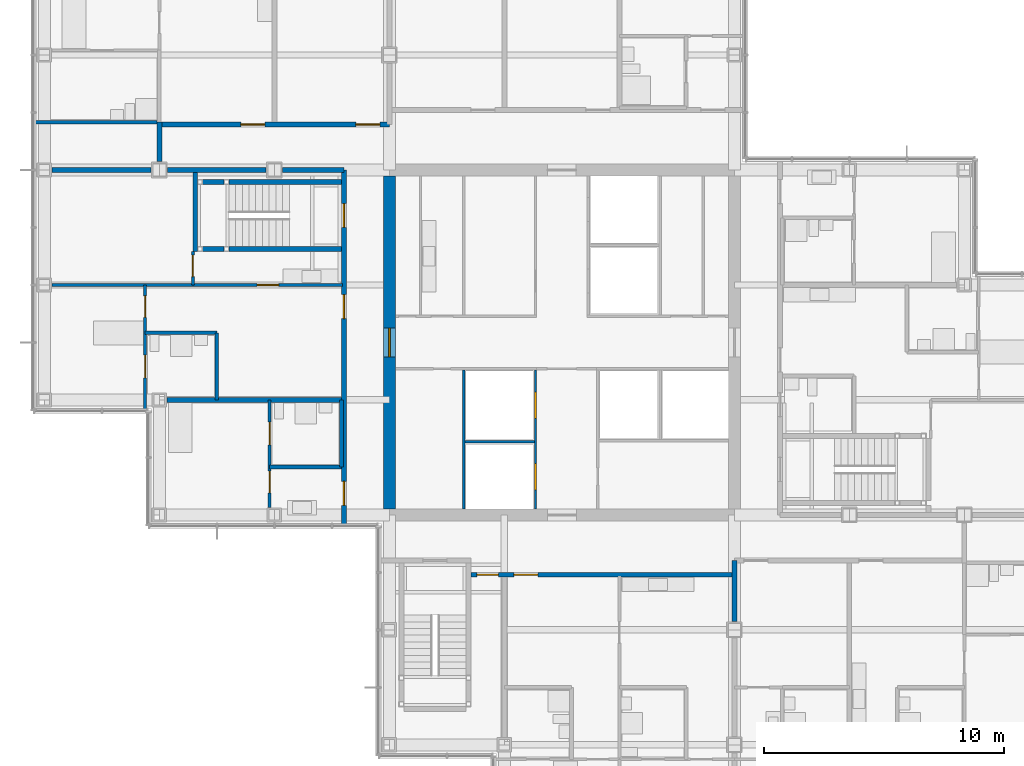
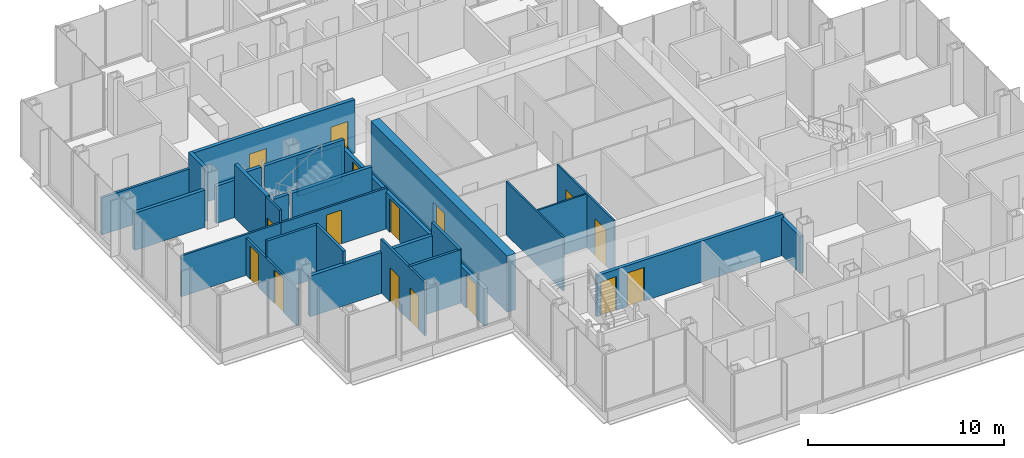
# One storey, part 14 of 20: 28 walls, 16 doors, 16 openings.
"""IFC4 building model written with IfcOpenShell, lengths in metres."""

from ifc_helpers import new_model, si_unit, direction, frame, frame_2d, origin, place, context, subcontext, project, spatial, rectangle, extrude, material, layer, layer_set, type_object, element, fill, save


model = new_model("IFC4")

# Units and contexts
model_context = context("Model", 3, precision=1e-05, world=origin(), true_north=direction((0.0, 1.0)))
body_context = subcontext(model_context, "Body", "Model", "MODEL_VIEW")
ifc_project = project(units=[si_unit("LENGTHUNIT", "METRE"), si_unit("AREAUNIT", "SQUARE_METRE"), si_unit("VOLUMEUNIT", "CUBIC_METRE"), si_unit("PLANEANGLEUNIT", "RADIAN"), si_unit("MASSUNIT", "GRAM", prefix="KILO")], contexts=[model_context])

# Site, building, storey
site_placement = place(None, origin())
site = spatial("IfcSite", under=ifc_project, at=site_placement, CompositionType="ELEMENT")
building_placement = place(site_placement, origin())
building = spatial("IfcBuilding", under=site, at=building_placement, Name="Kvirike Care Tower", CompositionType="ELEMENT")
storey_placement = place(building_placement, frame((0.0, 0.0, 122.5)))
storey = spatial("IfcBuildingStorey", under=building, at=storey_placement, Name="L33", CompositionType="ELEMENT", Elevation=122.5)

# Walls
ifc_material_1 = material(Name="Moisture-resistant board partition", Category="gypsum")
ifc_layer_1 = layer(ifc_material_1, 0.14990234375)
ifc_layer_set_1 = layer_set([ifc_layer_1], Name="BATHROOM WALL 150")
wall_type_1 = type_object("IfcWallType", Name="BATHROOM WALL 150", PredefinedType="PARTITIONING", material=ifc_layer_set_1)
wall_1_placement = place(storey_placement, frame((4.199951171875, 36.39990234375, 0.0), z_axis=(0.0, 0.0, 1.0), x_axis=(1.0, 0.0, 0.0)))
element("IfcWall", 1, at=wall_1_placement, inside=storey, type_object=wall_type_1, Name="Bathroom Wall 150 L33", PredefinedType="PARTITIONING", context=body_context, shape_type="SweptSolid", body=[
    extrude(rectangle(XDim=3.0, YDim=0.14990234375, at=frame_2d((1.5, 0.0))), origin(), (0.0, 0.0, 1.0), 3.330078125),
])
wall_2_placement = place(storey_placement, frame((7.199951171875, 36.39990234375, 0.0), z_axis=(0.0, 0.0, 1.0), x_axis=(0.0, -1.0, 0.0)))
element("IfcWall", 2, at=wall_2_placement, inside=storey, type_object=wall_type_1, Name="Bathroom Wall 150 L33", PredefinedType="PARTITIONING", context=body_context, shape_type="SweptSolid", body=[
    extrude(rectangle(XDim=2.7998046875, YDim=0.14990234375, at=frame_2d((1.39990234375, 0.0))), origin(), (0.0, 0.0, 1.0), 3.330078125),
])
wall_3_placement = place(storey_placement, frame((9.39990234375, 30.800048828125, 0.0), z_axis=(0.0, 0.0, 1.0), x_axis=(1.0, 0.0, 0.0)))
element("IfcWall", 3, at=wall_3_placement, inside=storey, type_object=wall_type_1, Name="Bathroom Wall 150 L33", PredefinedType="PARTITIONING", context=body_context, shape_type="SweptSolid", body=[
    extrude(rectangle(XDim=3.0, YDim=0.14990234375, at=frame_2d((1.5, 0.0))), origin(), (0.0, 0.0, 1.0), 3.330078125),
])
wall_4_placement = place(storey_placement, frame((12.39990234375, 33.60009765625, 0.0), z_axis=(0.0, 0.0, 1.0), x_axis=(0.0, -1.0, 0.0)))
element("IfcWall", 4, at=wall_4_placement, inside=storey, type_object=wall_type_1, Name="Bathroom Wall 150 L33", PredefinedType="PARTITIONING", context=body_context, shape_type="SweptSolid", body=[
    extrude(rectangle(XDim=2.800048828125, YDim=0.14990234375, at=frame_2d((1.39990234375, 0.0))), origin(), (0.0, 0.0, 1.0), 3.330078125),
])
wall_5_placement = place(storey_placement, frame((4.699951171875, 45.199951171875, 0.0), z_axis=(0.0, 0.0, 1.0), x_axis=(-1.0, 0.0, 0.0)))
element("IfcWall", 5, at=wall_5_placement, inside=storey, type_object=wall_type_1, Name="Bathroom Wall 150 L33", PredefinedType="PARTITIONING", context=body_context, shape_type="SweptSolid", body=[
    extrude(rectangle(XDim=5.139892578125, YDim=0.14990234375, at=frame_2d((2.56982421875, 0.0))), origin(), (0.0, 0.0, 1.0), 2.320068359375),
])

# Wall, opening, door
ifc_material_2 = material(Name="Concrete C50/60", Category="concrete")
ifc_layer_2 = layer(ifc_material_2, 0.5)
ifc_layer_set_2 = layer_set([ifc_layer_2], Name="CORE WALL 500 C50-60")
wall_type_2 = type_object("IfcWallType", Name="CORE WALL 500 C50-60", PredefinedType="SHEAR", material=ifc_layer_set_2)
wall_6_placement = place(storey_placement, frame((14.39990234375, 42.949951171875, -0.169921875), z_axis=(0.0, 0.0, 1.0), x_axis=(0.0, -1.0, 0.0)))
wall_6 = element("IfcWall", 6, at=wall_6_placement, inside=storey, type_object=wall_type_2, Name="Core wall W L33", PredefinedType="SHEAR", context=body_context, shape_type="SweptSolid", body=[
    extrude(rectangle(XDim=13.89990234375, YDim=0.5, at=frame_2d((6.949951171875, 0.0))), origin(), (0.0, 0.0, 1.0), 3.5),
])
opening_1_placement = place(wall_6_placement, frame((6.35009765625, 0.0, 0.169921875)))
opening_1 = element("IfcOpeningElement", 7, at=opening_1_placement, cuts=wall_6, Name="Opening 33-069", PredefinedType="OPENING", context=body_context, shape_type="SweptSolid", body=[
    extrude(rectangle(XDim=1.199951171875, YDim=2.10009765625, at=frame_2d((0.60009765625, 1.050048828125))), frame((0.0, 0.260498046875, 0.0), z_axis=(0.0, -1.0, 0.0), x_axis=(1.0, 0.0, 0.0)), (0.0, 0.0, 1.0), 0.52099609375),
])
ifc_material_3 = material(Name="Timber door set", Category="wood")
door_type_1 = type_object("IfcDoorType", Name="CORE DOOR 1200", OperationType="SINGLE_SWING_LEFT", PredefinedType="DOOR", material=ifc_material_3)
door_1_placement = place(opening_1_placement, origin())
door_1 = element("IfcDoor", 8, at=door_1_placement, inside=storey, type_object=door_type_1, Name="Core door W L33", OperationType="SINGLE_SWING_LEFT", OverallHeight=2.10009765625, OverallWidth=1.199951171875, PredefinedType="DOOR", context=body_context, shape_type="SweptSolid", body=[
    extrude(rectangle(XDim=1.199951171875, YDim=2.10009765625, at=frame_2d((0.60009765625, 1.050048828125))), frame((0.0, 0.02685546875, 0.0), z_axis=(0.0, -1.0, 0.0), x_axis=(1.0, 0.0, 0.0)), (0.0, 0.0, 1.0), 0.053955078125),
])
fill(opening_1, door_1)

# Wall, openings, doors
ifc_material_4 = material(Name="Plasterboard corridor wall", Category="gypsum")
ifc_layer_3 = layer(ifc_material_4, 0.199951171875)
ifc_layer_set_3 = layer_set([ifc_layer_3], Name="CORRIDOR WALL 200")
wall_type_3 = type_object("IfcWallType", Name="CORRIDOR WALL 200", PredefinedType="PARTITIONING", material=ifc_layer_set_3)
wall_7_placement = place(storey_placement, frame((12.5, 43.199951171875, 0.0), z_axis=(0.0, 0.0, 1.0), x_axis=(0.0, -1.0, 0.0)))
wall_7 = element("IfcWall", 9, at=wall_7_placement, inside=storey, type_object=wall_type_3, Name="Corridor Wall 200 L33", PredefinedType="PARTITIONING", context=body_context, shape_type="SweptSolid", body=[
    extrude(rectangle(XDim=14.83984375, YDim=0.199951171875, at=frame_2d((7.419921875, 0.0))), origin(), (0.0, 0.0, 1.0), 2.320068359375),
])
opening_2_placement = place(wall_7_placement, frame((1.39990234375, 0.0, 0.0)))
opening_2 = element("IfcOpeningElement", 10, at=opening_2_placement, cuts=wall_7, Name="Opening 33-007", PredefinedType="OPENING", context=body_context, shape_type="SweptSolid", body=[
    extrude(rectangle(XDim=1.0, YDim=2.10009765625, at=frame_2d((0.5, 1.050048828125))), frame((0.0, 0.110595703125, 0.0), z_axis=(0.0, -1.0, 0.0), x_axis=(1.0, 0.0, 0.0)), (0.0, 0.0, 1.0), 0.220947265625),
])
opening_3_placement = place(wall_7_placement, frame((5.199951171875, 0.0, 0.0)))
opening_3 = element("IfcOpeningElement", 11, at=opening_3_placement, cuts=wall_7, Name="Opening 33-008", PredefinedType="OPENING", context=body_context, shape_type="SweptSolid", body=[
    extrude(rectangle(XDim=1.0, YDim=2.10009765625, at=frame_2d((0.5, 1.050048828125))), frame((0.0, 0.110595703125, 0.0), z_axis=(0.0, -1.0, 0.0), x_axis=(1.0, 0.0, 0.0)), (0.0, 0.0, 1.0), 0.220947265625),
])
opening_4_placement = place(wall_7_placement, frame((13.0, 0.0, 0.0)))
opening_4 = element("IfcOpeningElement", 12, at=opening_4_placement, cuts=wall_7, Name="Opening 33-009", PredefinedType="OPENING", context=body_context, shape_type="SweptSolid", body=[
    extrude(rectangle(XDim=1.0, YDim=2.10009765625, at=frame_2d((0.5, 1.050048828125))), frame((0.0, 0.110595703125, 0.0), z_axis=(0.0, -1.0, 0.0), x_axis=(1.0, 0.0, 0.0)), (0.0, 0.0, 1.0), 0.220947265625),
])
ifc_material_5 = material(Name="Timber door set", Category="wood")
door_type_2 = type_object("IfcDoorType", Name="FLAT ENTRANCE DOOR 1000", OperationType="SINGLE_SWING_LEFT", PredefinedType="DOOR", material=ifc_material_5)
door_2_placement = place(opening_3_placement, frame((1.0, 0.0, 0.0), z_axis=(0.0, 0.0, 1.0), x_axis=(-1.0, 0.0, 0.0)))
door_2 = element("IfcDoor", 13, at=door_2_placement, inside=storey, type_object=door_type_2, Name="Assisted living suite entrance", OperationType="SINGLE_SWING_LEFT", OverallHeight=2.10009765625, OverallWidth=1.0, PredefinedType="DOOR", context=body_context, shape_type="SweptSolid", body=[
    extrude(rectangle(XDim=1.0, YDim=2.10009765625, at=frame_2d((0.5, 1.050048828125))), frame((0.0, 0.02685546875, 0.0), z_axis=(0.0, -1.0, 0.0), x_axis=(1.0, 0.0, 0.0)), (0.0, 0.0, 1.0), 0.053955078125),
])
fill(opening_3, door_2)
door_3_placement = place(opening_4_placement, frame((1.0, 0.0, 0.0), z_axis=(0.0, 0.0, 1.0), x_axis=(-1.0, 0.0, 0.0)))
door_3 = element("IfcDoor", 14, at=door_3_placement, inside=storey, type_object=door_type_2, Name="Assisted living suite entrance", OperationType="SINGLE_SWING_RIGHT", OverallHeight=2.10009765625, OverallWidth=1.0, PredefinedType="DOOR", context=body_context, shape_type="SweptSolid", body=[
    extrude(rectangle(XDim=1.0, YDim=2.10009765625, at=frame_2d((0.5, 1.050048828125))), frame((0.0, 0.02685546875, 0.0), z_axis=(0.0, -1.0, 0.0), x_axis=(1.0, 0.0, 0.0)), (0.0, 0.0, 1.0), 0.053955078125),
])
fill(opening_4, door_3)
ifc_material_6 = material(Name="Timber door set", Category="wood")
door_type_3 = type_object("IfcDoorType", Name="STAIR DOOR 1000", OperationType="SINGLE_SWING_LEFT", PredefinedType="DOOR", material=ifc_material_6)
door_4_placement = place(opening_2_placement, frame((1.0, 0.0, 0.0), z_axis=(0.0, 0.0, 1.0), x_axis=(-1.0, 0.0, 0.0)))
door_4 = element("IfcDoor", 15, at=door_4_placement, inside=storey, type_object=door_type_3, Name="Stair 1 door", OperationType="SINGLE_SWING_RIGHT", OverallHeight=2.10009765625, OverallWidth=1.0, PredefinedType="DOOR", context=body_context, shape_type="SweptSolid", body=[
    extrude(rectangle(XDim=1.0, YDim=2.10009765625, at=frame_2d((0.5, 1.050048828125))), frame((0.0, 0.031982421875, 0.0), z_axis=(0.0, -1.0, 0.0), x_axis=(1.0, 0.0, 0.0)), (0.0, 0.0, 1.0), 0.06396484375),
])
fill(opening_2, door_4)

wall_8_placement = place(storey_placement, frame((14.39990234375, 45.10009765625, 0.0), z_axis=(0.0, 0.0, 1.0), x_axis=(-1.0, 0.0, 0.0)))
wall_8 = element("IfcWall", 16, at=wall_8_placement, inside=storey, type_object=wall_type_3, Name="Corridor Wall 200 L33", PredefinedType="PARTITIONING", context=body_context, shape_type="SweptSolid", body=[
    extrude(rectangle(XDim=9.599853515625, YDim=0.199951171875, at=frame_2d((4.7998046875, 0.0))), origin(), (0.0, 0.0, 1.0), 3.330078125),
])
opening_5_placement = place(wall_8_placement, frame((0.39990234375, 0.0, 0.0)))
opening_5 = element("IfcOpeningElement", 17, at=opening_5_placement, cuts=wall_8, Name="Opening 33-017", PredefinedType="OPENING", context=body_context, shape_type="SweptSolid", body=[
    extrude(rectangle(XDim=1.0, YDim=2.10009765625, at=frame_2d((0.5, 1.050048828125))), frame((0.0, 0.110595703125, 0.0), z_axis=(0.0, -1.0, 0.0), x_axis=(1.0, 0.0, 0.0)), (0.0, 0.0, 1.0), 0.220947265625),
])
opening_6_placement = place(wall_8_placement, frame((5.199951171875, 0.0, 0.0)))
opening_6 = element("IfcOpeningElement", 18, at=opening_6_placement, cuts=wall_8, Name="Opening 33-018", PredefinedType="OPENING", context=body_context, shape_type="SweptSolid", body=[
    extrude(rectangle(XDim=1.0, YDim=2.10009765625, at=frame_2d((0.5, 1.050048828125))), frame((0.0, 0.110595703125, 0.0), z_axis=(0.0, -1.0, 0.0), x_axis=(1.0, 0.0, 0.0)), (0.0, 0.0, 1.0), 0.220947265625),
])
door_5_placement = place(opening_5_placement, frame((1.0, 0.0, 0.0), z_axis=(0.0, 0.0, 1.0), x_axis=(-1.0, 0.0, 0.0)))
door_5 = element("IfcDoor", 19, at=door_5_placement, inside=storey, type_object=door_type_2, Name="Assisted living suite entrance", OperationType="SINGLE_SWING_LEFT", OverallHeight=2.10009765625, OverallWidth=1.0, PredefinedType="DOOR", context=body_context, shape_type="SweptSolid", body=[
    extrude(rectangle(XDim=1.0, YDim=2.10009765625, at=frame_2d((0.5, 1.050048828125))), frame((0.0, 0.02685546875, 0.0), z_axis=(0.0, -1.0, 0.0), x_axis=(1.0, 0.0, 0.0)), (0.0, 0.0, 1.0), 0.053955078125),
])
fill(opening_5, door_5)
door_6_placement = place(opening_6_placement, frame((1.0, 0.0, 0.0), z_axis=(0.0, 0.0, 1.0), x_axis=(-1.0, 0.0, 0.0)))
door_6 = element("IfcDoor", 20, at=door_6_placement, inside=storey, type_object=door_type_2, Name="Two-bedroom assisted living suite entrance", OperationType="SINGLE_SWING_LEFT", OverallHeight=2.10009765625, OverallWidth=1.0, PredefinedType="DOOR", context=body_context, shape_type="SweptSolid", body=[
    extrude(rectangle(XDim=1.0, YDim=2.10009765625, at=frame_2d((0.5, 1.050048828125))), frame((0.0, 0.02685546875, 0.0), z_axis=(0.0, -1.0, 0.0), x_axis=(1.0, 0.0, 0.0)), (0.0, 0.0, 1.0), 0.053955078125),
])
fill(opening_6, door_6)

# Wall
wall_9_placement = place(storey_placement, frame((4.800048828125, 45.199951171875, 0.0), z_axis=(0.0, 0.0, 1.0), x_axis=(0.0, -1.0, 0.0)))
element("IfcWall", 21, at=wall_9_placement, inside=storey, type_object=wall_type_3, Name="Corridor Wall 200 L33", PredefinedType="PARTITIONING", context=body_context, shape_type="SweptSolid", body=[
    extrude(rectangle(XDim=1.655029296875, YDim=0.199951171875, at=frame_2d((0.82763671875, 0.0))), origin(), (0.0, 0.0, 1.0), 3.330078125),
])

# Wall, openings, doors
wall_10_placement = place(storey_placement, frame((17.800048828125, 26.300048828125, 0.0), z_axis=(0.0, 0.0, 1.0), x_axis=(1.0, 0.0, 0.0)))
wall_10 = element("IfcWall", 22, at=wall_10_placement, inside=storey, type_object=wall_type_3, Name="Corridor Wall 200 L33", PredefinedType="PARTITIONING", context=body_context, shape_type="SweptSolid", body=[
    extrude(rectangle(XDim=11.0, YDim=0.199951171875, at=frame_2d((5.5, 0.0))), origin(), (0.0, 0.0, 1.0), 2.550048828125),
])
opening_7_placement = place(wall_10_placement, frame((0.25, 0.0, 0.0)))
opening_7 = element("IfcOpeningElement", 23, at=opening_7_placement, cuts=wall_10, Name="Opening 33-025", PredefinedType="OPENING", context=body_context, shape_type="SweptSolid", body=[
    extrude(rectangle(XDim=0.89990234375, YDim=2.10009765625, at=frame_2d((0.449951171875, 1.050048828125))), frame((0.0, 0.110595703125, 0.0), z_axis=(0.0, -1.0, 0.0), x_axis=(1.0, 0.0, 0.0)), (0.0, 0.0, 1.0), 0.220947265625),
])
opening_8_placement = place(wall_10_placement, frame((1.800048828125, 0.0, 0.0)))
opening_8 = element("IfcOpeningElement", 24, at=opening_8_placement, cuts=wall_10, Name="Opening 33-026", PredefinedType="OPENING", context=body_context, shape_type="SweptSolid", body=[
    extrude(rectangle(XDim=1.0, YDim=2.10009765625, at=frame_2d((0.5, 1.050048828125))), frame((0.0, 0.110595703125, 0.0), z_axis=(0.0, -1.0, 0.0), x_axis=(1.0, 0.0, 0.0)), (0.0, 0.0, 1.0), 0.220947265625),
])
door_7_placement = place(opening_8_placement, frame((1.0, 0.0, 0.0), z_axis=(0.0, 0.0, 1.0), x_axis=(-1.0, 0.0, 0.0)))
door_7 = element("IfcDoor", 25, at=door_7_placement, inside=storey, type_object=door_type_2, Name="Two-bedroom assisted living suite entrance", OperationType="SINGLE_SWING_LEFT", OverallHeight=2.10009765625, OverallWidth=1.0, PredefinedType="DOOR", context=body_context, shape_type="SweptSolid", body=[
    extrude(rectangle(XDim=1.0, YDim=2.10009765625, at=frame_2d((0.5, 1.050048828125))), frame((0.0, 0.02685546875, 0.0), z_axis=(0.0, -1.0, 0.0), x_axis=(1.0, 0.0, 0.0)), (0.0, 0.0, 1.0), 0.053955078125),
])
fill(opening_8, door_7)
ifc_material_7 = material(Name="Timber door set", Category="wood")
door_type_4 = type_object("IfcDoorType", Name="STORE DOOR 900", OperationType="SINGLE_SWING_LEFT", PredefinedType="DOOR", material=ifc_material_7)
door_8_placement = place(opening_7_placement, frame((0.89990234375, 0.0, 0.0), z_axis=(0.0, 0.0, 1.0), x_axis=(-1.0, 0.0, 0.0)))
door_8 = element("IfcDoor", 26, at=door_8_placement, inside=storey, type_object=door_type_4, Name="Housekeeping room door", OperationType="SINGLE_SWING_RIGHT", OverallHeight=2.10009765625, OverallWidth=0.89990234375, PredefinedType="DOOR", context=body_context, shape_type="SweptSolid", body=[
    extrude(rectangle(XDim=0.89990234375, YDim=2.10009765625, at=frame_2d((0.449951171875, 1.050048828125))), frame((0.0, 0.02685546875, 0.0), z_axis=(0.0, -1.0, 0.0), x_axis=(1.0, 0.0, 0.0)), (0.0, 0.0, 1.0), 0.053955078125),
])
fill(opening_7, door_8)

# Wall, opening, door
ifc_material_8 = material(Name="Plasterboard partition", Category="gypsum")
ifc_layer_4 = layer(ifc_material_8, 0.1201171875)
ifc_layer_set_4 = layer_set([ifc_layer_4], Name="PARTITION 120")
wall_type_4 = type_object("IfcWallType", Name="PARTITION 120", PredefinedType="PARTITIONING", material=ifc_layer_set_4)
wall_11_placement = place(storey_placement, frame((6.199951171875, 38.39990234375, 0.0), z_axis=(0.0, 0.0, 1.0), x_axis=(1.0, 0.0, 0.0)))
wall_11 = element("IfcWall", 27, at=wall_11_placement, inside=storey, type_object=wall_type_4, Name="Partition 120 L33", PredefinedType="PARTITIONING", context=body_context, shape_type="SweptSolid", body=[
    extrude(rectangle(XDim=6.25, YDim=0.1201171875, at=frame_2d((3.125, 0.0))), origin(), (0.0, 0.0, 1.0), 2.550048828125),
])
opening_9_placement = place(wall_11_placement, frame((2.675048828125, 0.0, 0.0)))
opening_9 = element("IfcOpeningElement", 28, at=opening_9_placement, cuts=wall_11, Name="Opening 33-001", PredefinedType="OPENING", context=body_context, shape_type="SweptSolid", body=[
    extrude(rectangle(XDim=0.89990234375, YDim=2.10009765625, at=frame_2d((0.449951171875, 1.050048828125))), frame((0.0, 0.070556640625, 0.0), z_axis=(0.0, -1.0, 0.0), x_axis=(1.0, 0.0, 0.0)), (0.0, 0.0, 1.0), 0.14111328125),
])
ifc_material_9 = material(Name="Timber door set", Category="wood")
door_type_5 = type_object("IfcDoorType", Name="INTERNAL DOOR 900", OperationType="SINGLE_SWING_LEFT", PredefinedType="DOOR", material=ifc_material_9)
door_9_placement = place(opening_9_placement, origin())
door_9 = element("IfcDoor", 29, at=door_9_placement, inside=storey, type_object=door_type_5, Name="Hall door", OperationType="SINGLE_SWING_LEFT", OverallHeight=2.10009765625, OverallWidth=0.89990234375, PredefinedType="DOOR", context=body_context, shape_type="SweptSolid", body=[
    extrude(rectangle(XDim=0.89990234375, YDim=2.10009765625, at=frame_2d((0.449951171875, 1.050048828125))), frame((0.0, 0.02197265625, 0.0), z_axis=(0.0, -1.0, 0.0), x_axis=(1.0, 0.0, 0.0)), (0.0, 0.0, 1.0), 0.0439453125),
])
fill(opening_9, door_9)

wall_12_placement = place(storey_placement, frame((6.199951171875, 39.800048828125, 0.0), z_axis=(0.0, 0.0, 1.0), x_axis=(0.0, -1.0, 0.0)))
wall_12 = element("IfcWall", 30, at=wall_12_placement, inside=storey, type_object=wall_type_4, Name="Partition 120 L33", PredefinedType="PARTITIONING", context=body_context, shape_type="SweptSolid", body=[
    extrude(rectangle(XDim=1.400146484375, YDim=0.1201171875, at=frame_2d((0.7001953125, 0.0))), origin(), (0.0, 0.0, 1.0), 3.330078125),
])
opening_10_placement = place(wall_12_placement, frame((0.14990234375, 0.0, 0.0)))
opening_10 = element("IfcOpeningElement", 31, at=opening_10_placement, cuts=wall_12, Name="Opening 33-002", PredefinedType="OPENING", context=body_context, shape_type="SweptSolid", body=[
    extrude(rectangle(XDim=0.89990234375, YDim=2.10009765625, at=frame_2d((0.449951171875, 1.050048828125))), frame((0.0, 0.070556640625, 0.0), z_axis=(0.0, -1.0, 0.0), x_axis=(1.0, 0.0, 0.0)), (0.0, 0.0, 1.0), 0.14111328125),
])
door_10_placement = place(opening_10_placement, origin())
door_10 = element("IfcDoor", 32, at=door_10_placement, inside=storey, type_object=door_type_5, Name="Suite sitting room door", OperationType="SINGLE_SWING_RIGHT", OverallHeight=2.10009765625, OverallWidth=0.89990234375, PredefinedType="DOOR", context=body_context, shape_type="SweptSolid", body=[
    extrude(rectangle(XDim=0.89990234375, YDim=2.10009765625, at=frame_2d((0.449951171875, 1.050048828125))), frame((0.0, 0.02197265625, 0.0), z_axis=(0.0, -1.0, 0.0), x_axis=(1.0, 0.0, 0.0)), (0.0, 0.0, 1.0), 0.0439453125),
])
fill(opening_10, door_10)

# Wall, openings, doors
wall_13_placement = place(storey_placement, frame((4.199951171875, 38.39990234375, 0.0), z_axis=(0.0, 0.0, 1.0), x_axis=(0.0, -1.0, 0.0)))
wall_13 = element("IfcWall", 33, at=wall_13_placement, inside=storey, type_object=wall_type_4, Name="Partition 120 L33", PredefinedType="PARTITIONING", context=body_context, shape_type="SweptSolid", body=[
    extrude(rectangle(XDim=5.239990234375, YDim=0.1201171875, at=frame_2d((2.6201171875, 0.0))), origin(), (0.0, 0.0, 1.0), 2.320068359375),
])
opening_11_placement = place(wall_13_placement, frame((0.449951171875, 0.0, 0.0)))
opening_11 = element("IfcOpeningElement", 34, at=opening_11_placement, cuts=wall_13, Name="Opening 33-003", PredefinedType="OPENING", context=body_context, shape_type="SweptSolid", body=[
    extrude(rectangle(XDim=0.89990234375, YDim=2.10009765625, at=frame_2d((0.449951171875, 1.050048828125))), frame((0.0, 0.070556640625, 0.0), z_axis=(0.0, -1.0, 0.0), x_axis=(1.0, 0.0, 0.0)), (0.0, 0.0, 1.0), 0.14111328125),
])
opening_12_placement = place(wall_13_placement, frame((2.925048828125, 0.0, 0.0)))
opening_12 = element("IfcOpeningElement", 35, at=opening_12_placement, cuts=wall_13, Name="Opening 33-004", PredefinedType="OPENING", context=body_context, shape_type="SweptSolid", body=[
    extrude(rectangle(XDim=0.949951171875, YDim=2.10009765625, at=frame_2d((0.47509765625, 1.050048828125))), frame((0.0, 0.070556640625, 0.0), z_axis=(0.0, -1.0, 0.0), x_axis=(1.0, 0.0, 0.0)), (0.0, 0.0, 1.0), 0.14111328125),
])
ifc_material_10 = material(Name="Timber door set", Category="wood")
door_type_6 = type_object("IfcDoorType", Name="EN-SUITE SLIDING DOOR 950", OperationType="SLIDING_TO_LEFT", PredefinedType="DOOR", material=ifc_material_10)
door_11_placement = place(opening_12_placement, origin())
door_11 = element("IfcDoor", 36, at=door_11_placement, inside=storey, type_object=door_type_6, Name="En-suite door", OperationType="SLIDING_TO_LEFT", OverallHeight=2.10009765625, OverallWidth=0.949951171875, PredefinedType="DOOR", context=body_context, shape_type="SweptSolid", body=[
    extrude(rectangle(XDim=0.949951171875, YDim=2.10009765625, at=frame_2d((0.47509765625, 1.050048828125))), frame((0.0, 0.02197265625, 0.0), z_axis=(0.0, -1.0, 0.0), x_axis=(1.0, 0.0, 0.0)), (0.0, 0.0, 1.0), 0.0439453125),
])
fill(opening_12, door_11)
door_12_placement = place(opening_11_placement, frame((0.89990234375, 0.0, 0.0), z_axis=(0.0, 0.0, 1.0), x_axis=(-1.0, 0.0, 0.0)))
door_12 = element("IfcDoor", 37, at=door_12_placement, inside=storey, type_object=door_type_5, Name="Assisted living suite door", OperationType="SINGLE_SWING_LEFT", OverallHeight=2.10009765625, OverallWidth=0.89990234375, PredefinedType="DOOR", context=body_context, shape_type="SweptSolid", body=[
    extrude(rectangle(XDim=0.89990234375, YDim=2.10009765625, at=frame_2d((0.449951171875, 1.050048828125))), frame((0.0, 0.02197265625, 0.0), z_axis=(0.0, -1.0, 0.0), x_axis=(1.0, 0.0, 0.0)), (0.0, 0.0, 1.0), 0.0439453125),
])
fill(opening_11, door_12)

# Wall
wall_14_placement = place(storey_placement, frame((0.320068359375, 38.39990234375, 0.0), z_axis=(0.0, 0.0, 1.0), x_axis=(1.0, 0.0, 0.0)))
element("IfcWall", 38, at=wall_14_placement, inside=storey, type_object=wall_type_4, Name="Partition 120 L33", PredefinedType="PARTITIONING", context=body_context, shape_type="SweptSolid", body=[
    extrude(rectangle(XDim=5.8798828125, YDim=0.1201171875, at=frame_2d((2.93994140625, 0.0))), origin(), (0.0, 0.0, 1.0), 2.550048828125),
])

# Wall, openings, doors
wall_15_placement = place(storey_placement, frame((9.39990234375, 33.60009765625, 0.0), z_axis=(0.0, 0.0, 1.0), x_axis=(0.0, -1.0, 0.0)))
wall_15 = element("IfcWall", 39, at=wall_15_placement, inside=storey, type_object=wall_type_4, Name="Partition 120 L33", PredefinedType="PARTITIONING", context=body_context, shape_type="SweptSolid", body=[
    extrude(rectangle(XDim=4.47998046875, YDim=0.1201171875, at=frame_2d((2.239990234375, 0.0))), origin(), (0.0, 0.0, 1.0), 3.330078125),
])
opening_13_placement = place(wall_15_placement, frame((2.97509765625, 0.0, 0.0)))
opening_13 = element("IfcOpeningElement", 40, at=opening_13_placement, cuts=wall_15, Name="Opening 33-005", PredefinedType="OPENING", context=body_context, shape_type="SweptSolid", body=[
    extrude(rectangle(XDim=0.89990234375, YDim=2.10009765625, at=frame_2d((0.449951171875, 1.050048828125))), frame((0.0, 0.070556640625, 0.0), z_axis=(0.0, -1.0, 0.0), x_axis=(1.0, 0.0, 0.0)), (0.0, 0.0, 1.0), 0.14111328125),
])
opening_14_placement = place(wall_15_placement, frame((0.925048828125, 0.0, 0.0)))
opening_14 = element("IfcOpeningElement", 41, at=opening_14_placement, cuts=wall_15, Name="Opening 33-006", PredefinedType="OPENING", context=body_context, shape_type="SweptSolid", body=[
    extrude(rectangle(XDim=0.949951171875, YDim=2.10009765625, at=frame_2d((0.47509765625, 1.050048828125))), frame((0.0, 0.070556640625, 0.0), z_axis=(0.0, -1.0, 0.0), x_axis=(1.0, 0.0, 0.0)), (0.0, 0.0, 1.0), 0.14111328125),
])
door_13_placement = place(opening_14_placement, origin())
door_13 = element("IfcDoor", 42, at=door_13_placement, inside=storey, type_object=door_type_6, Name="En-suite door", OperationType="SLIDING_TO_RIGHT", OverallHeight=2.10009765625, OverallWidth=0.949951171875, PredefinedType="DOOR", context=body_context, shape_type="SweptSolid", body=[
    extrude(rectangle(XDim=0.949951171875, YDim=2.10009765625, at=frame_2d((0.47509765625, 1.050048828125))), frame((0.0, 0.02197265625, 0.0), z_axis=(0.0, -1.0, 0.0), x_axis=(1.0, 0.0, 0.0)), (0.0, 0.0, 1.0), 0.0439453125),
])
fill(opening_14, door_13)
door_14_placement = place(opening_13_placement, origin())
door_14 = element("IfcDoor", 43, at=door_14_placement, inside=storey, type_object=door_type_5, Name="Assisted living suite door", OperationType="SINGLE_SWING_RIGHT", OverallHeight=2.10009765625, OverallWidth=0.89990234375, PredefinedType="DOOR", context=body_context, shape_type="SweptSolid", body=[
    extrude(rectangle(XDim=0.89990234375, YDim=2.10009765625, at=frame_2d((0.449951171875, 1.050048828125))), frame((0.0, 0.02197265625, 0.0), z_axis=(0.0, -1.0, 0.0), x_axis=(1.0, 0.0, 0.0)), (0.0, 0.0, 1.0), 0.0439453125),
])
fill(opening_13, door_14)

# Walls
ifc_material_11 = material(Name="Plasterboard party wall", Category="gypsum")
ifc_layer_5 = layer(ifc_material_11, 0.199951171875)
ifc_layer_set_5 = layer_set([ifc_layer_5], Name="PARTY WALL 200")
wall_type_5 = type_object("IfcWallType", Name="PARTY WALL 200", PredefinedType="PARTITIONING", material=ifc_layer_set_5)
wall_16_placement = place(storey_placement, frame((5.1201171875, 33.60009765625, 0.0), z_axis=(0.0, 0.0, 1.0), x_axis=(1.0, 0.0, 0.0)))
element("IfcWall", 44, at=wall_16_placement, inside=storey, type_object=wall_type_5, Name="Party Wall 200 L33", PredefinedType="PARTITIONING", context=body_context, shape_type="SweptSolid", body=[
    extrude(rectangle(XDim=7.27978515625, YDim=0.199951171875, at=frame_2d((3.639892578125, 0.0))), origin(), (0.0, 0.0, 1.0), 2.550048828125),
])
wall_17_placement = place(storey_placement, frame((12.5, 43.199951171875, 0.0), z_axis=(0.0, 0.0, 1.0), x_axis=(-1.0, 0.0, 0.0)))
element("IfcWall", 45, at=wall_17_placement, inside=storey, type_object=wall_type_5, Name="Party Wall 200 L33", PredefinedType="PARTITIONING", context=body_context, shape_type="SweptSolid", body=[
    extrude(rectangle(XDim=2.554931640625, YDim=0.199951171875, at=frame_2d((1.27734375, 0.0))), origin(), (0.0, 0.0, 1.0), 2.320068359375),
])
wall_18_placement = place(storey_placement, frame((9.2548828125, 43.199951171875, 0.0), z_axis=(0.0, 0.0, 1.0), x_axis=(-1.0, 0.0, 0.0)))
element("IfcWall", 46, at=wall_18_placement, inside=storey, type_object=wall_type_5, Name="Party Wall 200 L33", PredefinedType="PARTITIONING", context=body_context, shape_type="SweptSolid", body=[
    extrude(rectangle(XDim=4.10986328125, YDim=0.199951171875, at=frame_2d((2.054931640625, 0.0))), origin(), (0.0, 0.0, 1.0), 2.320068359375),
])
wall_19_placement = place(storey_placement, frame((4.455078125, 43.199951171875, 0.0), z_axis=(0.0, 0.0, 1.0), x_axis=(-1.0, 0.0, 0.0)))
element("IfcWall", 47, at=wall_19_placement, inside=storey, type_object=wall_type_5, Name="Party Wall 200 L33", PredefinedType="PARTITIONING", context=body_context, shape_type="SweptSolid", body=[
    extrude(rectangle(XDim=4.135009765625, YDim=0.199951171875, at=frame_2d((2.0673828125, 0.0))), origin(), (0.0, 0.0, 1.0), 2.320068359375),
])
wall_20_placement = place(storey_placement, frame((28.800048828125, 24.344970703125, 0.0), z_axis=(0.0, 0.0, 1.0), x_axis=(0.0, 1.0, 0.0)))
element("IfcWall", 48, at=wall_20_placement, inside=storey, type_object=wall_type_5, Name="Party Wall 200 L33", PredefinedType="PARTITIONING", context=body_context, shape_type="SweptSolid", body=[
    extrude(rectangle(XDim=2.554931640625, YDim=0.199951171875, at=frame_2d((1.27734375, 0.0))), origin(), (0.0, 0.0, 1.0), 2.320068359375),
])

# Wall, openings, doors
ifc_material_12 = material(Name="Gypsum shaft wall system", Category="gypsum")
ifc_layer_6 = layer(ifc_material_12, 0.10009765625)
ifc_layer_set_6 = layer_set([ifc_layer_6], Name="SHAFT WALL 100")
wall_type_6 = type_object("IfcWallType", Name="SHAFT WALL 100", PredefinedType="SOLIDWALL", material=ifc_layer_set_6)
wall_21_placement = place(storey_placement, frame((20.5, 29.050048828125, 0.0), z_axis=(0.0, 0.0, 1.0), x_axis=(0.0, 1.0, 0.0)))
wall_21 = element("IfcWall", 49, at=wall_21_placement, inside=storey, type_object=wall_type_6, Name="Shaft Wall 100 L33", PredefinedType="SOLIDWALL", context=body_context, shape_type="SweptSolid", body=[
    extrude(rectangle(XDim=5.800048828125, YDim=0.10009765625, at=frame_2d((2.89990234375, 0.0))), origin(), (0.0, 0.0, 1.0), 3.330078125),
])
opening_15_placement = place(wall_21_placement, frame((0.800048828125, 0.0, 0.0)))
opening_15 = element("IfcOpeningElement", 50, at=opening_15_placement, cuts=wall_21, Name="Opening 33-056", PredefinedType="OPENING", context=body_context, shape_type="SweptSolid", body=[
    extrude(rectangle(XDim=1.10009765625, YDim=2.300048828125, at=frame_2d((0.550048828125, 1.14990234375))), frame((0.0, 0.060546875, 0.0), z_axis=(0.0, -1.0, 0.0), x_axis=(1.0, 0.0, 0.0)), (0.0, 0.0, 1.0), 0.12109375),
])
opening_16_placement = place(wall_21_placement, frame((3.77490234375, 0.0, 0.0)))
opening_16 = element("IfcOpeningElement", 51, at=opening_16_placement, cuts=wall_21, Name="Opening 33-057", PredefinedType="OPENING", context=body_context, shape_type="SweptSolid", body=[
    extrude(rectangle(XDim=1.10009765625, YDim=2.300048828125, at=frame_2d((0.550048828125, 1.14990234375))), frame((0.0, 0.060546875, 0.0), z_axis=(0.0, -1.0, 0.0), x_axis=(1.0, 0.0, 0.0)), (0.0, 0.0, 1.0), 0.12109375),
])
ifc_material_13 = material(Name="Aluminium door frame", Category="aluminium")
door_type_7 = type_object("IfcDoorType", Name="FIRE-FIGHTING LIFT LANDING DOOR 1100", OperationType="SLIDING_TO_LEFT", PredefinedType="DOOR", material=ifc_material_13)
door_15_placement = place(opening_15_placement, origin())
door_15 = element("IfcDoor", 52, at=door_15_placement, inside=storey, type_object=door_type_7, Name="Lift FF1 landing door", OperationType="SLIDING_TO_LEFT", OverallHeight=2.300048828125, OverallWidth=1.10009765625, PredefinedType="DOOR", context=body_context, shape_type="SweptSolid", body=[
    extrude(rectangle(XDim=1.10009765625, YDim=2.300048828125, at=frame_2d((0.550048828125, 1.14990234375))), frame((0.0, 0.0498046875, 0.0), z_axis=(0.0, -1.0, 0.0), x_axis=(1.0, 0.0, 0.0)), (0.0, 0.0, 1.0), 0.099609375),
])
fill(opening_15, door_15)
door_16_placement = place(opening_16_placement, origin())
door_16 = element("IfcDoor", 53, at=door_16_placement, inside=storey, type_object=door_type_7, Name="Lift FF2 landing door", OperationType="SLIDING_TO_LEFT", OverallHeight=2.300048828125, OverallWidth=1.10009765625, PredefinedType="DOOR", context=body_context, shape_type="SweptSolid", body=[
    extrude(rectangle(XDim=1.10009765625, YDim=2.300048828125, at=frame_2d((0.550048828125, 1.14990234375))), frame((0.0, 0.0498046875, 0.0), z_axis=(0.0, -1.0, 0.0), x_axis=(1.0, 0.0, 0.0)), (0.0, 0.0, 1.0), 0.099609375),
])
fill(opening_16, door_16)

# Walls
wall_22_placement = place(storey_placement, frame((17.5, 29.050048828125, 0.0), z_axis=(0.0, 0.0, 1.0), x_axis=(0.0, 1.0, 0.0)))
element("IfcWall", 54, at=wall_22_placement, inside=storey, type_object=wall_type_6, Name="Shaft Wall 100 L33", PredefinedType="SOLIDWALL", context=body_context, shape_type="SweptSolid", body=[
    extrude(rectangle(XDim=5.800048828125, YDim=0.10009765625, at=frame_2d((2.89990234375, 0.0))), origin(), (0.0, 0.0, 1.0), 3.330078125),
])
wall_23_placement = place(storey_placement, frame((17.550048828125, 31.85009765625, 0.0), z_axis=(0.0, 0.0, 1.0), x_axis=(1.0, 0.0, 0.0)))
element("IfcWall", 55, at=wall_23_placement, inside=storey, type_object=wall_type_6, Name="Shaft Wall 100 L33", PredefinedType="SOLIDWALL", context=body_context, shape_type="SweptSolid", body=[
    extrude(rectangle(XDim=2.89990234375, YDim=0.10009765625, at=frame_2d((1.449951171875, 0.0))), origin(), (0.0, 0.0, 1.0), 3.330078125),
])
ifc_material_14 = material(Name="Concrete C40/50", Category="concrete")
ifc_layer_7 = layer(ifc_material_14, 0.199951171875)
ifc_layer_set_7 = layer_set([ifc_layer_7], Name="STAIR WALL 200")
wall_type_7 = type_object("IfcWallType", Name="STAIR WALL 200", PredefinedType="SOLIDWALL", material=ifc_layer_set_7)
wall_24_placement = place(storey_placement, frame((6.60009765625, 42.699951171875, 0.0), z_axis=(0.0, 0.0, 1.0), x_axis=(1.0, 0.0, 0.0)))
element("IfcWall", 56, at=wall_24_placement, inside=storey, type_object=wall_type_7, Name="Stair Wall 200 L33", PredefinedType="SOLIDWALL", context=body_context, shape_type="SweptSolid", body=[
    extrude(rectangle(XDim=0.89990234375, YDim=0.199951171875, at=frame_2d((0.449951171875, 0.0))), origin(), (0.0, 0.0, 1.0), 2.989990234375),
])
wall_25_placement = place(storey_placement, frame((7.699951171875, 42.699951171875, 0.0), z_axis=(0.0, 0.0, 1.0), x_axis=(1.0, 0.0, 0.0)))
element("IfcWall", 57, at=wall_25_placement, inside=storey, type_object=wall_type_7, Name="Stair Wall 200 L33", PredefinedType="SOLIDWALL", context=body_context, shape_type="SweptSolid", body=[
    extrude(rectangle(XDim=4.699951171875, YDim=0.199951171875, at=frame_2d((2.35009765625, 0.0))), origin(), (0.0, 0.0, 1.0), 2.989990234375),
])
wall_26_placement = place(storey_placement, frame((6.60009765625, 39.89990234375, 0.0), z_axis=(0.0, 0.0, 1.0), x_axis=(1.0, 0.0, 0.0)))
element("IfcWall", 58, at=wall_26_placement, inside=storey, type_object=wall_type_7, Name="Stair Wall 200 L33", PredefinedType="SOLIDWALL", context=body_context, shape_type="SweptSolid", body=[
    extrude(rectangle(XDim=0.89990234375, YDim=0.199951171875, at=frame_2d((0.449951171875, 0.0))), origin(), (0.0, 0.0, 1.0), 2.989990234375),
])
wall_27_placement = place(storey_placement, frame((7.699951171875, 39.89990234375, 0.0), z_axis=(0.0, 0.0, 1.0), x_axis=(1.0, 0.0, 0.0)))
element("IfcWall", 59, at=wall_27_placement, inside=storey, type_object=wall_type_7, Name="Stair Wall 200 L33", PredefinedType="SOLIDWALL", context=body_context, shape_type="SweptSolid", body=[
    extrude(rectangle(XDim=4.699951171875, YDim=0.199951171875, at=frame_2d((2.35009765625, 0.0))), origin(), (0.0, 0.0, 1.0), 2.989990234375),
])
wall_28_placement = place(storey_placement, frame((6.300048828125, 43.10009765625, 0.0), z_axis=(0.0, 0.0, 1.0), x_axis=(0.0, -1.0, 0.0)))
element("IfcWall", 60, at=wall_28_placement, inside=storey, type_object=wall_type_7, Name="Stair Wall 200 L33", PredefinedType="SOLIDWALL", context=body_context, shape_type="SweptSolid", body=[
    extrude(rectangle(XDim=3.300048828125, YDim=0.199951171875, at=frame_2d((1.64990234375, 0.0))), origin(), (0.0, 0.0, 1.0), 3.330078125),
])

save(model, "model.ifc")
